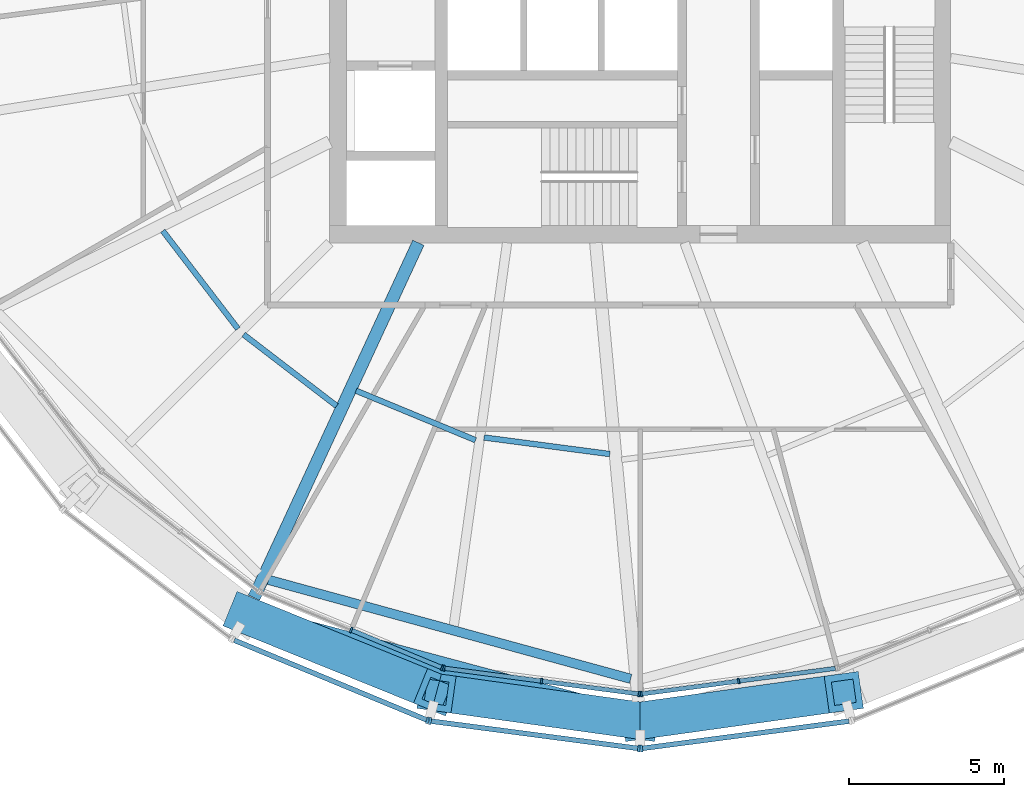
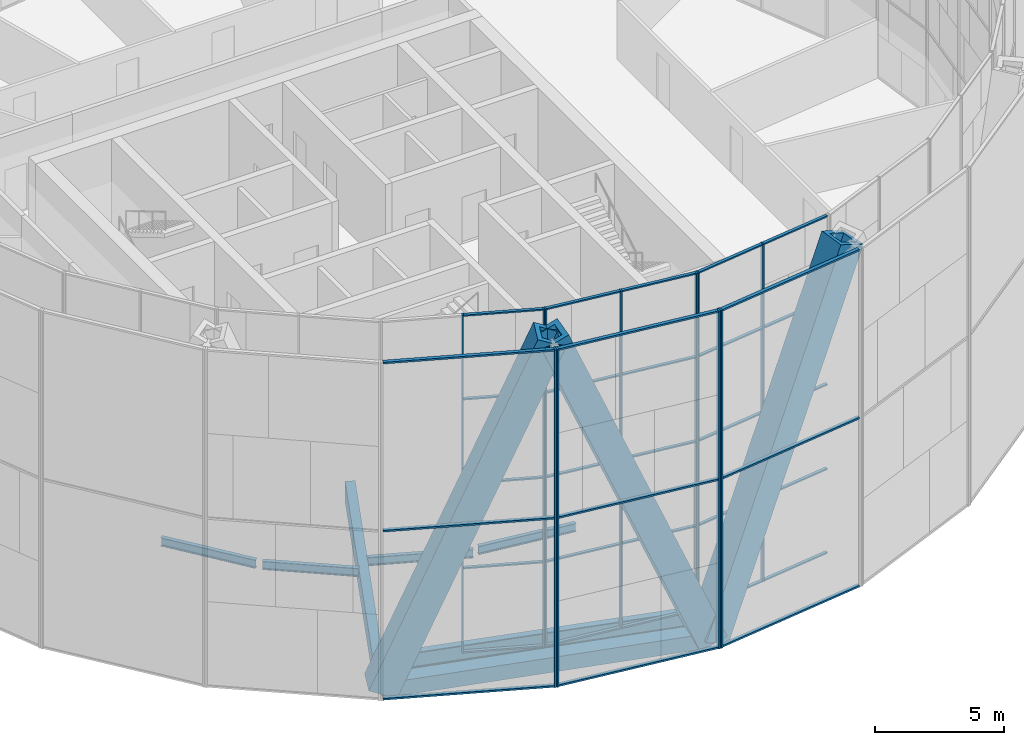
# One storey, part 2 of 29: 48 members, 7 beams, 6 elements without a shape of their own.
"""IFC4 building model written with IfcOpenShell, lengths in metres."""

from ifc_helpers import new_model, si_unit, direction, frame, origin, origin_2d, place, context, subcontext, project, spatial, rectangle, hollow_rectangle, i_section, extrude, material, material_profile, profile_set, type_object, element, aggregate, save


model = new_model("IFC4")

# Units and contexts
model_context = context("Model", 3, precision=1e-05, world=origin(), true_north=direction((0.0, 1.0)))
body_context = subcontext(model_context, "Body", "Model", "MODEL_VIEW")
ifc_project = project(units=[si_unit("LENGTHUNIT", "METRE"), si_unit("AREAUNIT", "SQUARE_METRE"), si_unit("VOLUMEUNIT", "CUBIC_METRE"), si_unit("PLANEANGLEUNIT", "RADIAN"), si_unit("MASSUNIT", "GRAM", prefix="KILO")], contexts=[model_context])

# Site, building, storey
site_placement = place(None, origin())
site = spatial("IfcSite", under=ifc_project, at=site_placement, CompositionType="ELEMENT")
building_placement = place(site_placement, origin())
building = spatial("IfcBuilding", under=site, at=building_placement, Name="Golbaran Civic Tower", CompositionType="ELEMENT")
storey_placement = place(building_placement, frame((0.0, 0.0, 118.0)))
storey = spatial("IfcBuildingStorey", under=building, at=storey_placement, Name="L28", CompositionType="ELEMENT", Elevation=118.0)

# Members
ifc_material_1 = material(Name="Steel S355", Category="steel")
ifc_material_profile_1 = material_profile(ifc_material_1, hollow_rectangle(XDim=1.199951171875, YDim=1.199951171875, WallThickness=0.219970703125, at=origin_2d()), Name="BOX 1200x1200x220")
ifc_profile_set_1 = profile_set([ifc_material_profile_1], Name="Steel S355")
member_type_1 = type_object("IfcMemberType", Name="DIAGRID DIAGONAL BOX 1200x1200x220", PredefinedType="BRACE", material=ifc_profile_set_1)
member_1_placement = place(storey_placement, frame((-12.696533203125, -21.990966796875, -0.7099609375), z_axis=(0.3544612565, -0.143541229562, 0.92398762603), x_axis=(0.375347369478, 0.926884217271, 0.0)))
element("IfcMember", 1, at=member_1_placement, inside=storey, type_object=member_type_1, Name="Diagonal D06-08R L28-L32", PredefinedType="BRACE", context=body_context, shape_type="SweptSolid", body=[
    extrude(hollow_rectangle(XDim=1.199951171875, YDim=1.199951171875, WallThickness=0.219970703125, at=origin_2d()), origin(), (0.0, 0.0, 1.0), 17.316162109375),
])
for number, where, z_axis, x_axis, name in (
    (2, (0.0, -25.39306640625, -0.7099609375), (0.378752046555, 0.052927158382, 0.923983551334), (-0.138396182918, 0.990376946699, 0.0), "Diagonal D06-09R L28-L32"),
    (3, (0.0, -25.39306640625, -0.7099609375), (-0.378752046555, 0.052927158382, 0.923983551334), (-0.138396182918, -0.990376946699, 0.0), "Diagonal D06-09L L28-L32"),
):
    element("IfcMember", number, at=place(storey_placement, frame(where, z_axis=z_axis, x_axis=x_axis)), inside=storey, type_object=member_type_1, Name=name, PredefinedType="BRACE", context=body_context, shape_type="SweptSolid", body=[
        extrude(hollow_rectangle(XDim=1.199951171875, YDim=1.199951171875, WallThickness=0.219970703125, at=origin_2d()), origin(), (0.0, 0.0, 1.0), 17.31640625),
    ])

# Beams
ifc_material_profile_2 = material_profile(ifc_material_1, hollow_rectangle(XDim=0.699951171875, YDim=0.699951171875, WallThickness=0.080078125, at=origin_2d()), Name="BOX 700x700x80")
ifc_profile_set_2 = profile_set([ifc_material_profile_2], Name="Steel S355")
beam_type_1 = type_object("IfcBeamType", Name="DIAGRID RING TIE BOX 700x700x80", PredefinedType="BEAM", material=ifc_profile_set_2)
beam_1_placement = place(storey_placement, frame((-12.696533203125, -21.990966796875, -0.7099609375), z_axis=(0.965924422812, -0.258824282894, 0.0), x_axis=(0.258824282894, 0.965924422812, 0.0)))
element("IfcBeam", 4, at=beam_1_placement, inside=storey, type_object=beam_type_1, Name="Ring tie 240.00 L28", PredefinedType="BEAM", context=body_context, shape_type="SweptSolid", body=[
    extrude(hollow_rectangle(XDim=0.699951171875, YDim=0.699951171875, WallThickness=0.080078125, at=origin_2d()), origin(), (0.0, 0.0, 1.0), 13.14453125),
])
ifc_material_profile_3 = material_profile(ifc_material_1, i_section(OverallWidth=0.300048828125, OverallDepth=0.800048828125, WebThickness=0.017578125, FlangeThickness=0.032958984375, FilletRadius=0.030029296875, at=origin_2d()), Name="HEB 800")
ifc_profile_set_3 = profile_set([ifc_material_profile_3], Name="Steel S355")
beam_type_2 = type_object("IfcBeamType", Name="EDGE BEAM HEB 800", PredefinedType="BEAM", material=ifc_profile_set_3)
beam_2_placement = place(storey_placement, frame((-11.97216796875, -20.85546875, -0.60009765625), z_axis=(0.964635594416, -0.263587120297, 0.0), x_axis=(0.263587120297, 0.964635594416, 0.0)))
element("IfcBeam", 5, at=beam_2_placement, inside=storey, type_object=beam_type_2, Name="Edge beam 240.00 L28", PredefinedType="BEAM", context=body_context, shape_type="SweptSolid", body=[
    extrude(i_section(OverallWidth=0.300048828125, OverallDepth=0.800048828125, WebThickness=0.017578125, FlangeThickness=0.032958984375, FilletRadius=0.030029296875, at=origin_2d()), origin(), (0.0, 0.0, 1.0), 12.09375),
])
ifc_material_profile_4 = material_profile(ifc_material_1, i_section(OverallWidth=0.179931640625, OverallDepth=0.39990234375, WebThickness=0.008544921875, FlangeThickness=0.013427734375, FilletRadius=0.02099609375, at=origin_2d()), Name="IPE 400")
ifc_profile_set_4 = profile_set([ifc_material_profile_4], Name="Steel S355")
beam_type_3 = type_object("IfcBeamType", Name="FLOOR INFILL BEAM IPE 400", PredefinedType="BEAM", material=ifc_profile_set_4)
beam_3_placement = place(storey_placement, frame((-15.374267578125, -9.6162109375, -0.39990234375), z_axis=(0.608757665926, -0.793356227792, 0.0), x_axis=(0.793356227792, 0.608757665926, 0.0)))
element("IfcBeam", 6, at=beam_3_placement, inside=storey, type_object=beam_type_3, Name="Infill beam 217.50 L28", PredefinedType="BEAM", context=body_context, shape_type="SweptSolid", body=[
    extrude(i_section(OverallWidth=0.179931640625, OverallDepth=0.39990234375, WebThickness=0.008544921875, FlangeThickness=0.013427734375, FilletRadius=0.02099609375, at=origin_2d()), origin(), (0.0, 0.0, 1.0), 3.9755859375),
])
beam_4_placement = place(storey_placement, frame((-12.771728515625, -12.95556640625, -0.39990234375), z_axis=(0.793327475399, -0.608795135309, 0.0), x_axis=(0.608795135309, 0.793327475399, 0.0)))
element("IfcBeam", 7, at=beam_4_placement, inside=storey, type_object=beam_type_3, Name="Infill beam 232.50 L28", PredefinedType="BEAM", context=body_context, shape_type="SweptSolid", body=[
    extrude(i_section(OverallWidth=0.179931640625, OverallDepth=0.39990234375, WebThickness=0.008544921875, FlangeThickness=0.013427734375, FilletRadius=0.02099609375, at=origin_2d()), origin(), (0.0, 0.0, 1.0), 3.77734375),
])
beam_5_placement = place(storey_placement, frame((-9.15087890625, -14.763671875, -0.39990234375), z_axis=(0.923893261584, -0.38265028577, 0.0), x_axis=(0.38265028577, 0.923893261584, 0.0)))
element("IfcBeam", 8, at=beam_5_placement, inside=storey, type_object=beam_type_3, Name="Infill beam 247.50 L28", PredefinedType="BEAM", context=body_context, shape_type="SweptSolid", body=[
    extrude(i_section(OverallWidth=0.179931640625, OverallDepth=0.39990234375, WebThickness=0.008544921875, FlangeThickness=0.013427734375, FilletRadius=0.02099609375, at=origin_2d()), origin(), (0.0, 0.0, 1.0), 4.165771484375),
])
beam_6_placement = place(storey_placement, frame((-5.02783203125, -16.27099609375, -0.39990234375), z_axis=(0.991444732077, -0.130527174324, 0.0), x_axis=(0.130527174324, 0.991444732077, 0.0)))
element("IfcBeam", 9, at=beam_6_placement, inside=storey, type_object=beam_type_3, Name="Infill beam 262.50 L28", PredefinedType="BEAM", context=body_context, shape_type="SweptSolid", body=[
    extrude(i_section(OverallWidth=0.179931640625, OverallDepth=0.39990234375, WebThickness=0.008544921875, FlangeThickness=0.013427734375, FilletRadius=0.02099609375, at=origin_2d()), origin(), (0.0, 0.0, 1.0), 4.0849609375),
])

# Curtain wall, members
ifc_material_2 = material(Name="Aluminium and glass", Category="aluminium")
curtain_wall_type_1 = type_object("IfcCurtainWallType", Name="INNER SKIN CURTAIN WALL", PredefinedType="NOTDEFINED", material=ifc_material_2)
curtain_wall_1_placement = place(storey_placement, origin())
curtain_wall_1 = element("IfcCurtainWall", 10, at=curtain_wall_1_placement, inside=storey, type_object=curtain_wall_type_1, Name="Inner skin L28 facet 17 CW1", ObjectType="INNER SKIN", PredefinedType="USERDEFINED")
ifc_material_3 = material(Name="Aluminium", Category="aluminium")
ifc_material_profile_5 = material_profile(ifc_material_3, rectangle(XDim=0.179931640625, YDim=0.06494140625, at=origin_2d()), Name="INNER SKIN CURTAIN WALL MULLION")
ifc_profile_set_5 = profile_set([ifc_material_profile_5], Name="Aluminium")
member_type_2 = type_object("IfcMemberType", Name="INNER SKIN CURTAIN WALL MULLION", PredefinedType="MULLION", material=ifc_profile_set_5)
member_2_placement = place(storey_placement, frame((-9.308349609375, -22.47265625, 0.0), z_axis=(0.0, 0.0, 1.0), x_axis=(0.38268343243, 0.923879532485, 0.0)))
member_2 = element("IfcMember", 11, at=member_2_placement, type_object=member_type_2, Name="CW1 mullion 2", PredefinedType="MULLION", context=body_context, shape_type="SweptSolid", body=[
    extrude(rectangle(XDim=0.179931640625, YDim=0.06494140625, at=origin_2d()), origin(), (0.0, 0.0, 1.0), 16.0),
])
member_3_placement = place(storey_placement, frame((-6.3798828125, -23.685546875, 0.0), z_axis=(0.0, 0.0, 1.0), x_axis=(0.38268343243, 0.923879532485, 0.0)))
member_3 = element("IfcMember", 12, at=member_3_placement, type_object=member_type_2, Name="CW1 mullion 3", PredefinedType="MULLION", context=body_context, shape_type="SweptSolid", body=[
    extrude(rectangle(XDim=0.179931640625, YDim=0.06494140625, at=origin_2d()), origin(), (0.0, 0.0, 1.0), 16.0),
])

curtain_wall_2_placement = place(storey_placement, origin())
curtain_wall_2 = element("IfcCurtainWall", 13, at=curtain_wall_2_placement, inside=storey, type_object=curtain_wall_type_1, Name="Inner skin L28 facet 18 CW1", ObjectType="INNER SKIN", PredefinedType="USERDEFINED")
member_4_placement = place(storey_placement, frame((-6.317626953125, -23.7021484375, 0.0), z_axis=(0.0, 0.0, 1.0), x_axis=(0.130526192237, 0.991444861372, 0.0)))
member_4 = element("IfcMember", 14, at=member_4_placement, type_object=member_type_2, Name="CW1 mullion 1", PredefinedType="MULLION", context=body_context, shape_type="SweptSolid", body=[
    extrude(rectangle(XDim=0.179931640625, YDim=0.06494140625, at=origin_2d()), origin(), (0.0, 0.0, 1.0), 16.0),
])
member_5_placement = place(storey_placement, frame((-3.175048828125, -24.115966796875, 0.0), z_axis=(0.0, 0.0, 1.0), x_axis=(0.130526192237, 0.991444861372, 0.0)))
member_5 = element("IfcMember", 15, at=member_5_placement, type_object=member_type_2, Name="CW1 mullion 2", PredefinedType="MULLION", context=body_context, shape_type="SweptSolid", body=[
    extrude(rectangle(XDim=0.179931640625, YDim=0.06494140625, at=origin_2d()), origin(), (0.0, 0.0, 1.0), 16.0),
])
member_6_placement = place(storey_placement, frame((-0.0322265625, -24.52978515625, 0.0), z_axis=(0.0, 0.0, 1.0), x_axis=(0.130526192237, 0.991444861372, 0.0)))
member_6 = element("IfcMember", 16, at=member_6_placement, type_object=member_type_2, Name="CW1 mullion 3", PredefinedType="MULLION", context=body_context, shape_type="SweptSolid", body=[
    extrude(rectangle(XDim=0.179931640625, YDim=0.06494140625, at=origin_2d()), origin(), (0.0, 0.0, 1.0), 16.0),
])

curtain_wall_3_placement = place(storey_placement, origin())
curtain_wall_3 = element("IfcCurtainWall", 17, at=curtain_wall_3_placement, inside=storey, type_object=curtain_wall_type_1, Name="Inner skin L28 facet 19 CW1", ObjectType="INNER SKIN", PredefinedType="USERDEFINED")
member_7_placement = place(storey_placement, frame((0.0322265625, -24.52978515625, 0.0), z_axis=(0.0, 0.0, 1.0), x_axis=(-0.130526192237, 0.991444861372, 0.0)))
member_7 = element("IfcMember", 18, at=member_7_placement, type_object=member_type_2, Name="CW1 mullion 1", PredefinedType="MULLION", context=body_context, shape_type="SweptSolid", body=[
    extrude(rectangle(XDim=0.179931640625, YDim=0.06494140625, at=origin_2d()), origin(), (0.0, 0.0, 1.0), 16.0),
])
member_8_placement = place(storey_placement, frame((3.175048828125, -24.115966796875, 0.0), z_axis=(0.0, 0.0, 1.0), x_axis=(-0.130526192237, 0.991444861372, 0.0)))
member_8 = element("IfcMember", 19, at=member_8_placement, type_object=member_type_2, Name="CW1 mullion 2", PredefinedType="MULLION", context=body_context, shape_type="SweptSolid", body=[
    extrude(rectangle(XDim=0.179931640625, YDim=0.06494140625, at=origin_2d()), origin(), (0.0, 0.0, 1.0), 16.0),
])

# Member
ifc_material_profile_6 = material_profile(ifc_material_3, rectangle(XDim=0.139892578125, YDim=0.06494140625, at=origin_2d()), Name="INNER SKIN CURTAIN WALL TRANSOM")
ifc_profile_set_6 = profile_set([ifc_material_profile_6], Name="Aluminium")
member_type_3 = type_object("IfcMemberType", Name="INNER SKIN CURTAIN WALL TRANSOM", PredefinedType="USERDEFINED", material=ifc_profile_set_6)
member_9_placement = place(storey_placement, frame((-9.2783203125, -22.48486328125, 0.032470703125), z_axis=(0.923868276622, -0.382710605355, 0.0), x_axis=(0.382710605355, 0.923868276622, 0.0)))
member_9 = element("IfcMember", 20, at=member_9_placement, type_object=member_type_3, Name="CW1 transom 2.1", ObjectType="TRANSOM", PredefinedType="USERDEFINED", context=body_context, shape_type="SweptSolid", body=[
    extrude(rectangle(XDim=0.139892578125, YDim=0.06494140625, at=origin_2d()), origin(), (0.0, 0.0, 1.0), 3.104736328125),
])

member_10_placement = place(storey_placement, frame((-9.2783203125, -22.48486328125, 4.0), z_axis=(0.923868276622, -0.382710605355, 0.0), x_axis=(0.382710605355, 0.923868276622, 0.0)))
member_10 = element("IfcMember", 21, at=member_10_placement, type_object=member_type_3, Name="CW1 transom 2.2", ObjectType="TRANSOM", PredefinedType="USERDEFINED", context=body_context, shape_type="SweptSolid", body=[
    extrude(rectangle(XDim=0.139892578125, YDim=0.06494140625, at=origin_2d()), origin(), (0.0, 0.0, 1.0), 3.104736328125),
])

member_11_placement = place(storey_placement, frame((-9.2783203125, -22.48486328125, 8.0), z_axis=(0.923868276622, -0.382710605355, 0.0), x_axis=(0.382710605355, 0.923868276622, 0.0)))
member_11 = element("IfcMember", 22, at=member_11_placement, type_object=member_type_3, Name="CW1 transom 2.3", ObjectType="TRANSOM", PredefinedType="USERDEFINED", context=body_context, shape_type="SweptSolid", body=[
    extrude(rectangle(XDim=0.139892578125, YDim=0.06494140625, at=origin_2d()), origin(), (0.0, 0.0, 1.0), 3.104736328125),
])

member_12_placement = place(storey_placement, frame((-9.2783203125, -22.48486328125, 12.0), z_axis=(0.923868276622, -0.382710605355, 0.0), x_axis=(0.382710605355, 0.923868276622, 0.0)))
member_12 = element("IfcMember", 23, at=member_12_placement, type_object=member_type_3, Name="CW1 transom 2.4", ObjectType="TRANSOM", PredefinedType="USERDEFINED", context=body_context, shape_type="SweptSolid", body=[
    extrude(rectangle(XDim=0.139892578125, YDim=0.06494140625, at=origin_2d()), origin(), (0.0, 0.0, 1.0), 3.104736328125),
])

member_13_placement = place(storey_placement, frame((-9.2783203125, -22.48486328125, 15.967529296875), z_axis=(0.923868276622, -0.382710605355, 0.0), x_axis=(0.382710605355, 0.923868276622, 0.0)))
member_13 = element("IfcMember", 24, at=member_13_placement, type_object=member_type_3, Name="CW1 transom 2.5", ObjectType="TRANSOM", PredefinedType="USERDEFINED", context=body_context, shape_type="SweptSolid", body=[
    extrude(rectangle(XDim=0.139892578125, YDim=0.06494140625, at=origin_2d()), origin(), (0.0, 0.0, 1.0), 3.104736328125),
])

aggregate(curtain_wall_1, [member_2, member_3, member_9, member_10, member_11, member_12, member_13])

member_14_placement = place(storey_placement, frame((-6.285400390625, -23.70654296875, 0.032470703125), z_axis=(0.991443586136, -0.130535878251, 0.0), x_axis=(0.130535878251, 0.991443586136, 0.0)))
member_14 = element("IfcMember", 25, at=member_14_placement, type_object=member_type_3, Name="CW1 transom 1.1", ObjectType="TRANSOM", PredefinedType="USERDEFINED", context=body_context, shape_type="SweptSolid", body=[
    extrude(rectangle(XDim=0.139892578125, YDim=0.06494140625, at=origin_2d()), origin(), (0.0, 0.0, 1.0), 3.104736328125),
])

member_15_placement = place(storey_placement, frame((-6.285400390625, -23.70654296875, 4.0), z_axis=(0.991443586136, -0.130535878251, 0.0), x_axis=(0.130535878251, 0.991443586136, 0.0)))
member_15 = element("IfcMember", 26, at=member_15_placement, type_object=member_type_3, Name="CW1 transom 1.2", ObjectType="TRANSOM", PredefinedType="USERDEFINED", context=body_context, shape_type="SweptSolid", body=[
    extrude(rectangle(XDim=0.139892578125, YDim=0.06494140625, at=origin_2d()), origin(), (0.0, 0.0, 1.0), 3.104736328125),
])

member_16_placement = place(storey_placement, frame((-6.285400390625, -23.70654296875, 8.0), z_axis=(0.991443586136, -0.130535878251, 0.0), x_axis=(0.130535878251, 0.991443586136, 0.0)))
member_16 = element("IfcMember", 27, at=member_16_placement, type_object=member_type_3, Name="CW1 transom 1.3", ObjectType="TRANSOM", PredefinedType="USERDEFINED", context=body_context, shape_type="SweptSolid", body=[
    extrude(rectangle(XDim=0.139892578125, YDim=0.06494140625, at=origin_2d()), origin(), (0.0, 0.0, 1.0), 3.104736328125),
])

member_17_placement = place(storey_placement, frame((-6.285400390625, -23.70654296875, 12.0), z_axis=(0.991443586136, -0.130535878251, 0.0), x_axis=(0.130535878251, 0.991443586136, 0.0)))
member_17 = element("IfcMember", 28, at=member_17_placement, type_object=member_type_3, Name="CW1 transom 1.4", ObjectType="TRANSOM", PredefinedType="USERDEFINED", context=body_context, shape_type="SweptSolid", body=[
    extrude(rectangle(XDim=0.139892578125, YDim=0.06494140625, at=origin_2d()), origin(), (0.0, 0.0, 1.0), 3.104736328125),
])

member_18_placement = place(storey_placement, frame((-6.285400390625, -23.70654296875, 15.967529296875), z_axis=(0.991443586136, -0.130535878251, 0.0), x_axis=(0.130535878251, 0.991443586136, 0.0)))
member_18 = element("IfcMember", 29, at=member_18_placement, type_object=member_type_3, Name="CW1 transom 1.5", ObjectType="TRANSOM", PredefinedType="USERDEFINED", context=body_context, shape_type="SweptSolid", body=[
    extrude(rectangle(XDim=0.139892578125, YDim=0.06494140625, at=origin_2d()), origin(), (0.0, 0.0, 1.0), 3.104736328125),
])

member_19_placement = place(storey_placement, frame((-3.142822265625, -24.120361328125, 0.032470703125), z_axis=(0.991444925907, -0.130525702039, 0.0), x_axis=(0.130525702039, 0.991444925907, 0.0)))
member_19 = element("IfcMember", 30, at=member_19_placement, type_object=member_type_3, Name="CW1 transom 2.1", ObjectType="TRANSOM", PredefinedType="USERDEFINED", context=body_context, shape_type="SweptSolid", body=[
    extrude(rectangle(XDim=0.139892578125, YDim=0.06494140625, at=origin_2d()), origin(), (0.0, 0.0, 1.0), 3.10498046875),
])

member_20_placement = place(storey_placement, frame((-3.142822265625, -24.120361328125, 4.0), z_axis=(0.991444925907, -0.130525702039, 0.0), x_axis=(0.130525702039, 0.991444925907, 0.0)))
member_20 = element("IfcMember", 31, at=member_20_placement, type_object=member_type_3, Name="CW1 transom 2.2", ObjectType="TRANSOM", PredefinedType="USERDEFINED", context=body_context, shape_type="SweptSolid", body=[
    extrude(rectangle(XDim=0.139892578125, YDim=0.06494140625, at=origin_2d()), origin(), (0.0, 0.0, 1.0), 3.10498046875),
])

member_21_placement = place(storey_placement, frame((-3.142822265625, -24.120361328125, 8.0), z_axis=(0.991444925907, -0.130525702039, 0.0), x_axis=(0.130525702039, 0.991444925907, 0.0)))
member_21 = element("IfcMember", 32, at=member_21_placement, type_object=member_type_3, Name="CW1 transom 2.3", ObjectType="TRANSOM", PredefinedType="USERDEFINED", context=body_context, shape_type="SweptSolid", body=[
    extrude(rectangle(XDim=0.139892578125, YDim=0.06494140625, at=origin_2d()), origin(), (0.0, 0.0, 1.0), 3.10498046875),
])

member_22_placement = place(storey_placement, frame((-3.142822265625, -24.120361328125, 12.0), z_axis=(0.991444925907, -0.130525702039, 0.0), x_axis=(0.130525702039, 0.991444925907, 0.0)))
member_22 = element("IfcMember", 33, at=member_22_placement, type_object=member_type_3, Name="CW1 transom 2.4", ObjectType="TRANSOM", PredefinedType="USERDEFINED", context=body_context, shape_type="SweptSolid", body=[
    extrude(rectangle(XDim=0.139892578125, YDim=0.06494140625, at=origin_2d()), origin(), (0.0, 0.0, 1.0), 3.10498046875),
])

member_23_placement = place(storey_placement, frame((-3.142822265625, -24.120361328125, 15.967529296875), z_axis=(0.991444925907, -0.130525702039, 0.0), x_axis=(0.130525702039, 0.991444925907, 0.0)))
member_23 = element("IfcMember", 34, at=member_23_placement, type_object=member_type_3, Name="CW1 transom 2.5", ObjectType="TRANSOM", PredefinedType="USERDEFINED", context=body_context, shape_type="SweptSolid", body=[
    extrude(rectangle(XDim=0.139892578125, YDim=0.06494140625, at=origin_2d()), origin(), (0.0, 0.0, 1.0), 3.10498046875),
])

aggregate(curtain_wall_2, [member_4, member_5, member_6, member_14, member_15, member_16, member_17, member_18, member_19, member_20, member_21, member_22, member_23])

member_24_placement = place(storey_placement, frame((0.064453125, -24.525634765625, 0.032470703125), z_axis=(0.991444925907, 0.130525702039, 0.0), x_axis=(-0.130525702039, 0.991444925907, 0.0)))
member_24 = element("IfcMember", 35, at=member_24_placement, type_object=member_type_3, Name="CW1 transom 1.1", ObjectType="TRANSOM", PredefinedType="USERDEFINED", context=body_context, shape_type="SweptSolid", body=[
    extrude(rectangle(XDim=0.139892578125, YDim=0.06494140625, at=origin_2d()), origin(), (0.0, 0.0, 1.0), 3.10498046875),
])

member_25_placement = place(storey_placement, frame((0.064453125, -24.525634765625, 4.0), z_axis=(0.991444925907, 0.130525702039, 0.0), x_axis=(-0.130525702039, 0.991444925907, 0.0)))
member_25 = element("IfcMember", 36, at=member_25_placement, type_object=member_type_3, Name="CW1 transom 1.2", ObjectType="TRANSOM", PredefinedType="USERDEFINED", context=body_context, shape_type="SweptSolid", body=[
    extrude(rectangle(XDim=0.139892578125, YDim=0.06494140625, at=origin_2d()), origin(), (0.0, 0.0, 1.0), 3.10498046875),
])

member_26_placement = place(storey_placement, frame((0.064453125, -24.525634765625, 8.0), z_axis=(0.991444925907, 0.130525702039, 0.0), x_axis=(-0.130525702039, 0.991444925907, 0.0)))
member_26 = element("IfcMember", 37, at=member_26_placement, type_object=member_type_3, Name="CW1 transom 1.3", ObjectType="TRANSOM", PredefinedType="USERDEFINED", context=body_context, shape_type="SweptSolid", body=[
    extrude(rectangle(XDim=0.139892578125, YDim=0.06494140625, at=origin_2d()), origin(), (0.0, 0.0, 1.0), 3.10498046875),
])

member_27_placement = place(storey_placement, frame((0.064453125, -24.525634765625, 12.0), z_axis=(0.991444925907, 0.130525702039, 0.0), x_axis=(-0.130525702039, 0.991444925907, 0.0)))
member_27 = element("IfcMember", 38, at=member_27_placement, type_object=member_type_3, Name="CW1 transom 1.4", ObjectType="TRANSOM", PredefinedType="USERDEFINED", context=body_context, shape_type="SweptSolid", body=[
    extrude(rectangle(XDim=0.139892578125, YDim=0.06494140625, at=origin_2d()), origin(), (0.0, 0.0, 1.0), 3.10498046875),
])

member_28_placement = place(storey_placement, frame((0.064453125, -24.525634765625, 15.967529296875), z_axis=(0.991444925907, 0.130525702039, 0.0), x_axis=(-0.130525702039, 0.991444925907, 0.0)))
member_28 = element("IfcMember", 39, at=member_28_placement, type_object=member_type_3, Name="CW1 transom 1.5", ObjectType="TRANSOM", PredefinedType="USERDEFINED", context=body_context, shape_type="SweptSolid", body=[
    extrude(rectangle(XDim=0.139892578125, YDim=0.06494140625, at=origin_2d()), origin(), (0.0, 0.0, 1.0), 3.10498046875),
])

member_29_placement = place(storey_placement, frame((3.207275390625, -24.11181640625, 0.032470703125), z_axis=(0.991443586136, 0.130535878251, 0.0), x_axis=(-0.130535878251, 0.991443586136, 0.0)))
member_29 = element("IfcMember", 40, at=member_29_placement, type_object=member_type_3, Name="CW1 transom 2.1", ObjectType="TRANSOM", PredefinedType="USERDEFINED", context=body_context, shape_type="SweptSolid", body=[
    extrude(rectangle(XDim=0.139892578125, YDim=0.06494140625, at=origin_2d()), origin(), (0.0, 0.0, 1.0), 3.104736328125),
])

member_30_placement = place(storey_placement, frame((3.207275390625, -24.11181640625, 4.0), z_axis=(0.991443586136, 0.130535878251, 0.0), x_axis=(-0.130535878251, 0.991443586136, 0.0)))
member_30 = element("IfcMember", 41, at=member_30_placement, type_object=member_type_3, Name="CW1 transom 2.2", ObjectType="TRANSOM", PredefinedType="USERDEFINED", context=body_context, shape_type="SweptSolid", body=[
    extrude(rectangle(XDim=0.139892578125, YDim=0.06494140625, at=origin_2d()), origin(), (0.0, 0.0, 1.0), 3.104736328125),
])

member_31_placement = place(storey_placement, frame((3.207275390625, -24.11181640625, 8.0), z_axis=(0.991443586136, 0.130535878251, 0.0), x_axis=(-0.130535878251, 0.991443586136, 0.0)))
member_31 = element("IfcMember", 42, at=member_31_placement, type_object=member_type_3, Name="CW1 transom 2.3", ObjectType="TRANSOM", PredefinedType="USERDEFINED", context=body_context, shape_type="SweptSolid", body=[
    extrude(rectangle(XDim=0.139892578125, YDim=0.06494140625, at=origin_2d()), origin(), (0.0, 0.0, 1.0), 3.104736328125),
])

member_32_placement = place(storey_placement, frame((3.207275390625, -24.11181640625, 12.0), z_axis=(0.991443586136, 0.130535878251, 0.0), x_axis=(-0.130535878251, 0.991443586136, 0.0)))
member_32 = element("IfcMember", 43, at=member_32_placement, type_object=member_type_3, Name="CW1 transom 2.4", ObjectType="TRANSOM", PredefinedType="USERDEFINED", context=body_context, shape_type="SweptSolid", body=[
    extrude(rectangle(XDim=0.139892578125, YDim=0.06494140625, at=origin_2d()), origin(), (0.0, 0.0, 1.0), 3.104736328125),
])

member_33_placement = place(storey_placement, frame((3.207275390625, -24.11181640625, 15.967529296875), z_axis=(0.991443586136, 0.130535878251, 0.0), x_axis=(-0.130535878251, 0.991443586136, 0.0)))
member_33 = element("IfcMember", 44, at=member_33_placement, type_object=member_type_3, Name="CW1 transom 2.5", ObjectType="TRANSOM", PredefinedType="USERDEFINED", context=body_context, shape_type="SweptSolid", body=[
    extrude(rectangle(XDim=0.139892578125, YDim=0.06494140625, at=origin_2d()), origin(), (0.0, 0.0, 1.0), 3.104736328125),
])

aggregate(curtain_wall_3, [member_7, member_8, member_24, member_25, member_26, member_27, member_28, member_29, member_30, member_31, member_32, member_33])

# Curtain wall, member
curtain_wall_type_2 = type_object("IfcCurtainWallType", Name="OUTER SKIN TERRACOTTA SCREEN", PredefinedType="NOTDEFINED", material=ifc_material_2)
curtain_wall_4_placement = place(storey_placement, origin())
curtain_wall_4 = element("IfcCurtainWall", 45, at=curtain_wall_4_placement, inside=storey, type_object=curtain_wall_type_2, Name="Outer skin L28 facet 17 CW3", ObjectType="OUTER SKIN", PredefinedType="USERDEFINED")
ifc_material_profile_7 = material_profile(ifc_material_3, rectangle(XDim=0.219970703125, YDim=0.080078125, at=origin_2d()), Name="OUTER SKIN TERRACOTTA SCREEN MULLION")
ifc_profile_set_7 = profile_set([ifc_material_profile_7], Name="Aluminium")
member_type_4 = type_object("IfcMemberType", Name="OUTER SKIN TERRACOTTA SCREEN MULLION", PredefinedType="MULLION", material=ifc_profile_set_7)
member_34_placement = place(storey_placement, frame((-6.842041015625, -25.3818359375, -0.7099609375), z_axis=(0.0, 0.0, 1.0), x_axis=(0.382683432381, 0.923879532505, 0.0)))
member_34 = element("IfcMember", 46, at=member_34_placement, type_object=member_type_4, Name="CW3 mullion 2", PredefinedType="MULLION", context=body_context, shape_type="SweptSolid", body=[
    extrude(rectangle(XDim=0.219970703125, YDim=0.080078125, at=origin_2d()), origin(), (0.0, 0.0, 1.0), 16.0),
])

# Curtain wall, members
curtain_wall_5_placement = place(storey_placement, origin())
curtain_wall_5 = element("IfcCurtainWall", 47, at=curtain_wall_5_placement, inside=storey, type_object=curtain_wall_type_2, Name="Outer skin L28 facet 18 CW3", ObjectType="OUTER SKIN", PredefinedType="USERDEFINED")
member_35_placement = place(storey_placement, frame((-6.765380859375, -25.40234375, -0.7099609375), z_axis=(0.0, 0.0, 1.0), x_axis=(0.130526192168, 0.991444861381, 0.0)))
member_35 = element("IfcMember", 48, at=member_35_placement, type_object=member_type_4, Name="CW3 mullion 1", PredefinedType="MULLION", context=body_context, shape_type="SweptSolid", body=[
    extrude(rectangle(XDim=0.219970703125, YDim=0.080078125, at=origin_2d()), origin(), (0.0, 0.0, 1.0), 16.0),
])
member_36_placement = place(storey_placement, frame((-0.03955078125, -26.287841796875, -0.7099609375), z_axis=(0.0, 0.0, 1.0), x_axis=(0.130526192168, 0.991444861381, 0.0)))
member_36 = element("IfcMember", 49, at=member_36_placement, type_object=member_type_4, Name="CW3 mullion 2", PredefinedType="MULLION", context=body_context, shape_type="SweptSolid", body=[
    extrude(rectangle(XDim=0.219970703125, YDim=0.080078125, at=origin_2d()), origin(), (0.0, 0.0, 1.0), 16.0),
])

# Curtain wall, member
curtain_wall_6_placement = place(storey_placement, origin())
curtain_wall_6 = element("IfcCurtainWall", 50, at=curtain_wall_6_placement, inside=storey, type_object=curtain_wall_type_2, Name="Outer skin L28 facet 19 CW3", ObjectType="OUTER SKIN", PredefinedType="USERDEFINED")
member_37_placement = place(storey_placement, frame((0.03955078125, -26.287841796875, -0.7099609375), z_axis=(0.0, 0.0, 1.0), x_axis=(-0.130526192168, 0.991444861381, 0.0)))
member_37 = element("IfcMember", 51, at=member_37_placement, type_object=member_type_4, Name="CW3 mullion 1", PredefinedType="MULLION", context=body_context, shape_type="SweptSolid", body=[
    extrude(rectangle(XDim=0.219970703125, YDim=0.080078125, at=origin_2d()), origin(), (0.0, 0.0, 1.0), 16.0),
])

# Member
ifc_material_profile_8 = material_profile(ifc_material_3, rectangle(XDim=0.159912109375, YDim=0.080078125, at=origin_2d()), Name="OUTER SKIN TERRACOTTA SCREEN TRANSOM")
ifc_profile_set_8 = profile_set([ifc_material_profile_8], Name="Aluminium")
member_type_5 = type_object("IfcMemberType", Name="OUTER SKIN TERRACOTTA SCREEN TRANSOM", PredefinedType="USERDEFINED", material=ifc_profile_set_8)
member_38_placement = place(storey_placement, frame((-13.072509765625, -22.801025390625, -0.669921875), z_axis=(0.923876566489, -0.382690592899, 0.0), x_axis=(0.382690592899, 0.923876566489, 0.0)))
member_38 = element("IfcMember", 52, at=member_38_placement, type_object=member_type_5, Name="CW3 transom 1.1", ObjectType="TRANSOM", PredefinedType="USERDEFINED", context=body_context, shape_type="SweptSolid", body=[
    extrude(rectangle(XDim=0.159912109375, YDim=0.080078125, at=origin_2d()), origin(), (0.0, 0.0, 1.0), 6.70361328125),
])

member_39_placement = place(storey_placement, frame((-13.072509765625, -22.801025390625, 7.2900390625), z_axis=(0.923876566489, -0.382690592899, 0.0), x_axis=(0.382690592899, 0.923876566489, 0.0)))
member_39 = element("IfcMember", 53, at=member_39_placement, type_object=member_type_5, Name="CW3 transom 1.2", ObjectType="TRANSOM", PredefinedType="USERDEFINED", context=body_context, shape_type="SweptSolid", body=[
    extrude(rectangle(XDim=0.159912109375, YDim=0.080078125, at=origin_2d()), origin(), (0.0, 0.0, 1.0), 6.70361328125),
])

member_40_placement = place(storey_placement, frame((-13.072509765625, -22.801025390625, 15.25), z_axis=(0.923876566489, -0.382690592899, 0.0), x_axis=(0.382690592899, 0.923876566489, 0.0)))
member_40 = element("IfcMember", 54, at=member_40_placement, type_object=member_type_5, Name="CW3 transom 1.3", ObjectType="TRANSOM", PredefinedType="USERDEFINED", context=body_context, shape_type="SweptSolid", body=[
    extrude(rectangle(XDim=0.159912109375, YDim=0.080078125, at=origin_2d()), origin(), (0.0, 0.0, 1.0), 6.70361328125),
])

aggregate(curtain_wall_4, [member_34, member_38, member_39, member_40])

member_41_placement = place(storey_placement, frame((-6.725830078125, -25.407470703125, -0.669921875), z_axis=(0.991445368442, -0.1305223406, 0.0), x_axis=(0.1305223406, 0.991445368442, 0.0)))
member_41 = element("IfcMember", 55, at=member_41_placement, type_object=member_type_5, Name="CW3 transom 1.1", ObjectType="TRANSOM", PredefinedType="USERDEFINED", context=body_context, shape_type="SweptSolid", body=[
    extrude(rectangle(XDim=0.159912109375, YDim=0.080078125, at=origin_2d()), origin(), (0.0, 0.0, 1.0), 6.703857421875),
])

member_42_placement = place(storey_placement, frame((-6.725830078125, -25.407470703125, 7.2900390625), z_axis=(0.991445368442, -0.1305223406, 0.0), x_axis=(0.1305223406, 0.991445368442, 0.0)))
member_42 = element("IfcMember", 56, at=member_42_placement, type_object=member_type_5, Name="CW3 transom 1.2", ObjectType="TRANSOM", PredefinedType="USERDEFINED", context=body_context, shape_type="SweptSolid", body=[
    extrude(rectangle(XDim=0.159912109375, YDim=0.080078125, at=origin_2d()), origin(), (0.0, 0.0, 1.0), 6.703857421875),
])

member_43_placement = place(storey_placement, frame((-6.725830078125, -25.407470703125, 15.25), z_axis=(0.991445368442, -0.1305223406, 0.0), x_axis=(0.1305223406, 0.991445368442, 0.0)))
member_43 = element("IfcMember", 57, at=member_43_placement, type_object=member_type_5, Name="CW3 transom 1.3", ObjectType="TRANSOM", PredefinedType="USERDEFINED", context=body_context, shape_type="SweptSolid", body=[
    extrude(rectangle(XDim=0.159912109375, YDim=0.080078125, at=origin_2d()), origin(), (0.0, 0.0, 1.0), 6.703857421875),
])

aggregate(curtain_wall_5, [member_35, member_36, member_41, member_42, member_43])

member_44_placement = place(storey_placement, frame((0.079345703125, -26.282470703125, -0.669921875), z_axis=(0.991445368442, 0.1305223406, 0.0), x_axis=(-0.1305223406, 0.991445368442, 0.0)))
member_44 = element("IfcMember", 58, at=member_44_placement, type_object=member_type_5, Name="CW3 transom 1.1", ObjectType="TRANSOM", PredefinedType="USERDEFINED", context=body_context, shape_type="SweptSolid", body=[
    extrude(rectangle(XDim=0.159912109375, YDim=0.080078125, at=origin_2d()), origin(), (0.0, 0.0, 1.0), 6.703857421875),
])

member_45_placement = place(storey_placement, frame((0.079345703125, -26.282470703125, 7.2900390625), z_axis=(0.991445368442, 0.1305223406, 0.0), x_axis=(-0.1305223406, 0.991445368442, 0.0)))
member_45 = element("IfcMember", 59, at=member_45_placement, type_object=member_type_5, Name="CW3 transom 1.2", ObjectType="TRANSOM", PredefinedType="USERDEFINED", context=body_context, shape_type="SweptSolid", body=[
    extrude(rectangle(XDim=0.159912109375, YDim=0.080078125, at=origin_2d()), origin(), (0.0, 0.0, 1.0), 6.703857421875),
])

member_46_placement = place(storey_placement, frame((0.079345703125, -26.282470703125, 15.25), z_axis=(0.991445368442, 0.1305223406, 0.0), x_axis=(-0.1305223406, 0.991445368442, 0.0)))
member_46 = element("IfcMember", 60, at=member_46_placement, type_object=member_type_5, Name="CW3 transom 1.3", ObjectType="TRANSOM", PredefinedType="USERDEFINED", context=body_context, shape_type="SweptSolid", body=[
    extrude(rectangle(XDim=0.159912109375, YDim=0.080078125, at=origin_2d()), origin(), (0.0, 0.0, 1.0), 6.703857421875),
])

aggregate(curtain_wall_6, [member_37, member_44, member_45, member_46])

# Beam
ifc_material_profile_9 = material_profile(ifc_material_1, hollow_rectangle(XDim=0.39990234375, YDim=1.0, WallThickness=0.0400390625, at=origin_2d()), Name="BOX 1000x400x40")
ifc_profile_set_9 = profile_set([ifc_material_profile_9], Name="Steel S355")
beam_type_4 = type_object("IfcBeamType", Name="RADIAL FLOOR BEAM BOX 1000x400x40", PredefinedType="BEAM", material=ifc_profile_set_9)
beam_7_placement = place(storey_placement, frame((-7.142822265625, -10.0, -0.7099609375), z_axis=(-0.420263345049, -0.907402182501, 0.0), x_axis=(0.907402182501, -0.420263345049, 0.0)))
element("IfcBeam", 61, at=beam_7_placement, inside=storey, type_object=beam_type_4, Name="Radial beam 240.00 L28", PredefinedType="BEAM", context=body_context, shape_type="SweptSolid", body=[
    extrude(hollow_rectangle(XDim=0.39990234375, YDim=1.0, WallThickness=0.0400390625, at=origin_2d()), origin(), (0.0, 0.0, 1.0), 12.598388671875),
])

save(model, "model.ifc")
